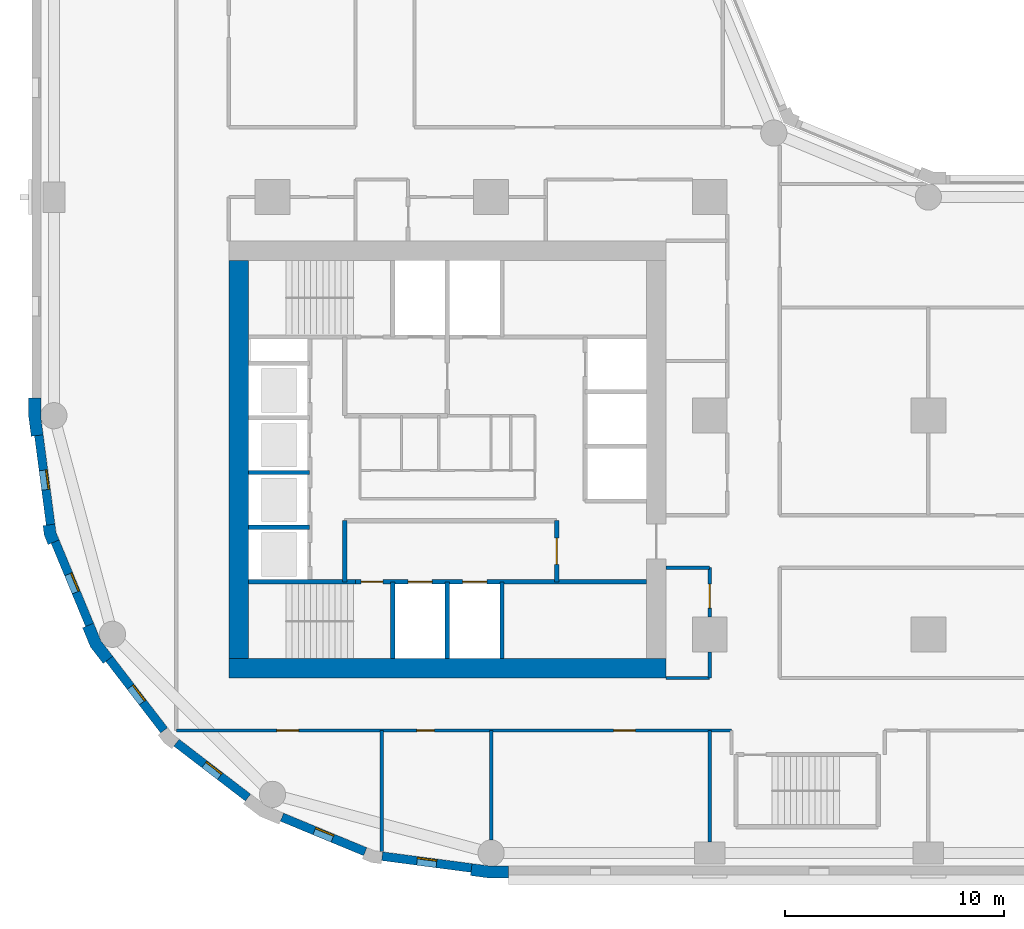
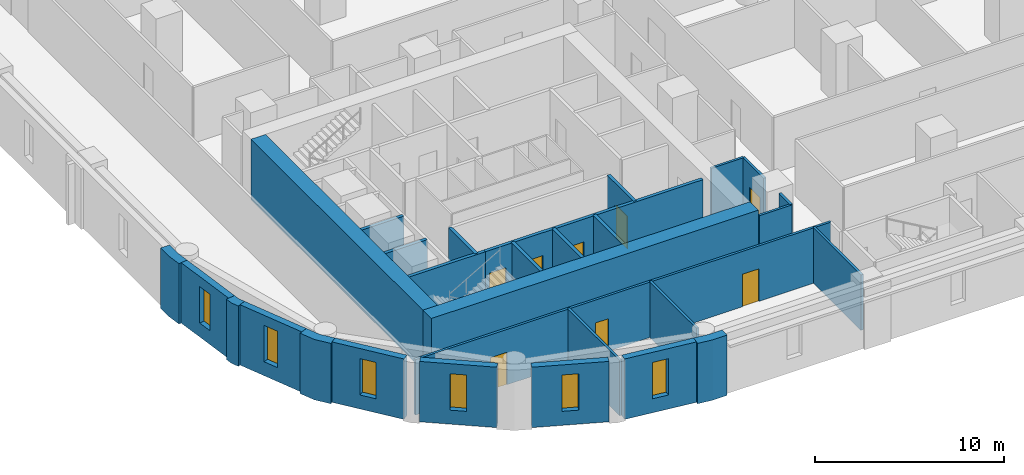
# One storey, part 2 of 11: 29 walls, 8 doors, 6 windows, 14 openings.
"""IFC4 building model written with IfcOpenShell, lengths in metres."""

from ifc_helpers import new_model, si_unit, direction, frame, frame_2d, origin, place, context, subcontext, project, spatial, polyline, rectangle, outline, extrude, material, layer, layer_set, type_object, element, fill, save


model = new_model("IFC4")

# Units and contexts
model_context = context("Model", 3, precision=1e-05, world=origin(), true_north=direction((0.0, 1.0)))
body_context = subcontext(model_context, "Body", "Model", "MODEL_VIEW")
ifc_project = project(units=[si_unit("LENGTHUNIT", "METRE"), si_unit("AREAUNIT", "SQUARE_METRE"), si_unit("VOLUMEUNIT", "CUBIC_METRE"), si_unit("PLANEANGLEUNIT", "RADIAN"), si_unit("MASSUNIT", "GRAM", prefix="KILO")], contexts=[model_context])

# Site, building, storey
site_placement = place(None, origin())
site = spatial("IfcSite", under=ifc_project, at=site_placement, CompositionType="ELEMENT")
building_placement = place(site_placement, origin())
building = spatial("IfcBuilding", under=site, at=building_placement, Name="Qaws Garden Tower", CompositionType="ELEMENT")
storey_placement = place(building_placement, frame((0.0, 0.0, 82.199951171875)))
storey = spatial("IfcBuildingStorey", under=building, at=storey_placement, Name="L20", CompositionType="ELEMENT", Elevation=82.199951171875)

# Wall, opening, window
ifc_material_1 = material(Name="Buff clay facing brick masonry", Category="masonry")
ifc_layer_1 = layer(ifc_material_1, 0.39990234375)
ifc_layer_set_1 = layer_set([ifc_layer_1], Name="Buff clay facing brick masonry")
wall_type_1 = type_object("IfcWallType", Name="Buff brick infill wall 400", PredefinedType="SOLIDWALL", material=ifc_layer_set_1)
wall_1_placement = place(storey_placement, frame((-0.688720703125, 19.102294921875, 0.0), z_axis=(0.0, 0.0, 1.0), x_axis=(0.130514280502, -0.991446429508, 0.0)))
wall_1 = element("IfcWall", 1, at=wall_1_placement, inside=storey, type_object=wall_type_1, Name="E-L20-infill-27", PredefinedType="SOLIDWALL", context=body_context, shape_type="SweptSolid", body=[
    extrude(rectangle(XDim=4.120849609375, YDim=0.39990234375, at=frame_2d((2.060546875, 0.0))), origin(), (0.0, 0.0, 1.0), 3.900146484375),
])
opening_1_placement = place(wall_1_placement, frame((1.610595703125, 0.0, 0.89990234375)))
opening_1 = element("IfcOpeningElement", 2, at=opening_1_placement, cuts=wall_1, Name="Opening W09", PredefinedType="OPENING", context=body_context, shape_type="SweptSolid", body=[
    extrude(rectangle(XDim=0.89990234375, YDim=2.35009765625, at=frame_2d((0.449951171875, 1.175048828125))), frame((0.0, 0.2099609375, 0.0), z_axis=(0.0, -1.0, 0.0), x_axis=(1.0, 0.0, 0.0)), (0.0, 0.0, 1.0), 0.419921875),
])
ifc_material_2 = material(Name="Aluminium framed window, clear glazing", Category="aluminium")
window_type = type_object("IfcWindowType", Name="Slit window 900 x 2350", PartitioningType="SINGLE_PANEL", PredefinedType="WINDOW", material=ifc_material_2)
window_1_placement = place(opening_1_placement, origin())
window_1 = element("IfcWindow", 3, at=window_1_placement, inside=storey, type_object=window_type, Name="E-L20-window-27-0", OverallHeight=2.35009765625, OverallWidth=0.89990234375, PartitioningType="SINGLE_PANEL", PredefinedType="WINDOW", context=body_context, shape_type="SweptSolid", body=[
    extrude(rectangle(XDim=0.89990234375, YDim=2.35009765625, at=frame_2d((0.449951171875, 1.175048828125))), frame((0.0, 0.159912109375, 0.0), z_axis=(0.0, -1.0, 0.0), x_axis=(1.0, 0.0, 0.0)), (0.0, 0.0, 1.0), 0.06005859375),
])
fill(opening_1, window_1)

wall_2_placement = place(storey_placement, frame((0.05712890625, 14.240234375, 0.0), z_axis=(0.0, 0.0, 1.0), x_axis=(0.382721546029, -0.923863744394, 0.0)))
wall_2 = element("IfcWall", 4, at=wall_2_placement, inside=storey, type_object=wall_type_1, Name="E-L20-infill-28", PredefinedType="SOLIDWALL", context=body_context, shape_type="SweptSolid", body=[
    extrude(rectangle(XDim=4.120849609375, YDim=0.39990234375, at=frame_2d((2.060546875, 0.0))), origin(), (0.0, 0.0, 1.0), 3.900146484375),
])
opening_2_placement = place(wall_2_placement, frame((1.610595703125, 0.0, 0.89990234375)))
opening_2 = element("IfcOpeningElement", 5, at=opening_2_placement, cuts=wall_2, Name="Opening W09", PredefinedType="OPENING", context=body_context, shape_type="SweptSolid", body=[
    extrude(rectangle(XDim=0.89990234375, YDim=2.35009765625, at=frame_2d((0.449951171875, 1.175048828125))), frame((0.0, 0.2099609375, 0.0), z_axis=(0.0, -1.0, 0.0), x_axis=(1.0, 0.0, 0.0)), (0.0, 0.0, 1.0), 0.419921875),
])
window_2_placement = place(opening_2_placement, origin())
window_2 = element("IfcWindow", 6, at=window_2_placement, inside=storey, type_object=window_type, Name="E-L20-window-28-0", OverallHeight=2.35009765625, OverallWidth=0.89990234375, PartitioningType="SINGLE_PANEL", PredefinedType="WINDOW", context=body_context, shape_type="SweptSolid", body=[
    extrude(rectangle(XDim=0.89990234375, YDim=2.35009765625, at=frame_2d((0.449951171875, 1.175048828125))), frame((0.0, 0.159912109375, 0.0), z_axis=(0.0, -1.0, 0.0), x_axis=(1.0, 0.0, 0.0)), (0.0, 0.0, 1.0), 0.06005859375),
])
fill(opening_2, window_2)

wall_3_placement = place(storey_placement, frame((2.53173828125, 8.87841796875, 0.0), z_axis=(0.0, 0.0, 1.0), x_axis=(0.608759824817, -0.793354571229, 0.0)))
wall_3 = element("IfcWall", 7, at=wall_3_placement, inside=storey, type_object=wall_type_1, Name="E-L20-infill-29", PredefinedType="SOLIDWALL", context=body_context, shape_type="SweptSolid", body=[
    extrude(rectangle(XDim=4.12109375, YDim=0.39990234375, at=frame_2d((2.060546875, 0.0))), origin(), (0.0, 0.0, 1.0), 3.900146484375),
])
opening_3_placement = place(wall_3_placement, frame((1.610595703125, 0.0, 0.89990234375)))
opening_3 = element("IfcOpeningElement", 8, at=opening_3_placement, cuts=wall_3, Name="Opening W09", PredefinedType="OPENING", context=body_context, shape_type="SweptSolid", body=[
    extrude(rectangle(XDim=0.89990234375, YDim=2.35009765625, at=frame_2d((0.449951171875, 1.175048828125))), frame((0.0, 0.2099609375, 0.0), z_axis=(0.0, -1.0, 0.0), x_axis=(1.0, 0.0, 0.0)), (0.0, 0.0, 1.0), 0.419921875),
])
window_3_placement = place(opening_3_placement, origin())
window_3 = element("IfcWindow", 9, at=window_3_placement, inside=storey, type_object=window_type, Name="E-L20-window-29-0", OverallHeight=2.35009765625, OverallWidth=0.89990234375, PartitioningType="SINGLE_PANEL", PredefinedType="WINDOW", context=body_context, shape_type="SweptSolid", body=[
    extrude(rectangle(XDim=0.89990234375, YDim=2.35009765625, at=frame_2d((0.449951171875, 1.175048828125))), frame((0.0, 0.159912109375, 0.0), z_axis=(0.0, -1.0, 0.0), x_axis=(1.0, 0.0, 0.0)), (0.0, 0.0, 1.0), 0.06005859375),
])
fill(opening_3, window_3)

wall_4_placement = place(storey_placement, frame((5.60888671875, 5.04052734375, 0.0), z_axis=(0.0, 0.0, 1.0), x_axis=(0.793354571229, -0.608759824817, 0.0)))
wall_4 = element("IfcWall", 10, at=wall_4_placement, inside=storey, type_object=wall_type_1, Name="E-L20-infill-30", PredefinedType="SOLIDWALL", context=body_context, shape_type="SweptSolid", body=[
    extrude(rectangle(XDim=4.12109375, YDim=0.39990234375, at=frame_2d((2.060546875, 0.0))), origin(), (0.0, 0.0, 1.0), 3.900146484375),
])
opening_4_placement = place(wall_4_placement, frame((1.610595703125, 0.0, 0.89990234375)))
opening_4 = element("IfcOpeningElement", 11, at=opening_4_placement, cuts=wall_4, Name="Opening W09", PredefinedType="OPENING", context=body_context, shape_type="SweptSolid", body=[
    extrude(rectangle(XDim=0.89990234375, YDim=2.35009765625, at=frame_2d((0.449951171875, 1.175048828125))), frame((0.0, 0.2099609375, 0.0), z_axis=(0.0, -1.0, 0.0), x_axis=(1.0, 0.0, 0.0)), (0.0, 0.0, 1.0), 0.419921875),
])
window_4_placement = place(opening_4_placement, origin())
window_4 = element("IfcWindow", 12, at=window_4_placement, inside=storey, type_object=window_type, Name="E-L20-window-30-0", OverallHeight=2.35009765625, OverallWidth=0.89990234375, PartitioningType="SINGLE_PANEL", PredefinedType="WINDOW", context=body_context, shape_type="SweptSolid", body=[
    extrude(rectangle(XDim=0.89990234375, YDim=2.35009765625, at=frame_2d((0.449951171875, 1.175048828125))), frame((0.0, 0.159912109375, 0.0), z_axis=(0.0, -1.0, 0.0), x_axis=(1.0, 0.0, 0.0)), (0.0, 0.0, 1.0), 0.06005859375),
])
fill(opening_4, window_4)

wall_5_placement = place(storey_placement, frame((10.43310546875, 1.63427734375, 0.0), z_axis=(0.0, 0.0, 1.0), x_axis=(0.923863744394, -0.382721546029, 0.0)))
wall_5 = element("IfcWall", 13, at=wall_5_placement, inside=storey, type_object=wall_type_1, Name="E-L20-infill-31", PredefinedType="SOLIDWALL", context=body_context, shape_type="SweptSolid", body=[
    extrude(rectangle(XDim=4.120849609375, YDim=0.39990234375, at=frame_2d((2.060546875, 0.0))), origin(), (0.0, 0.0, 1.0), 3.900146484375),
])
opening_5_placement = place(wall_5_placement, frame((1.610595703125, 0.0, 0.89990234375)))
opening_5 = element("IfcOpeningElement", 14, at=opening_5_placement, cuts=wall_5, Name="Opening W09", PredefinedType="OPENING", context=body_context, shape_type="SweptSolid", body=[
    extrude(rectangle(XDim=0.89990234375, YDim=2.35009765625, at=frame_2d((0.449951171875, 1.175048828125))), frame((0.0, 0.2099609375, 0.0), z_axis=(0.0, -1.0, 0.0), x_axis=(1.0, 0.0, 0.0)), (0.0, 0.0, 1.0), 0.419921875),
])
window_5_placement = place(opening_5_placement, origin())
window_5 = element("IfcWindow", 15, at=window_5_placement, inside=storey, type_object=window_type, Name="E-L20-window-31-0", OverallHeight=2.35009765625, OverallWidth=0.89990234375, PartitioningType="SINGLE_PANEL", PredefinedType="WINDOW", context=body_context, shape_type="SweptSolid", body=[
    extrude(rectangle(XDim=0.89990234375, YDim=2.35009765625, at=frame_2d((0.449951171875, 1.175048828125))), frame((0.0, 0.159912109375, 0.0), z_axis=(0.0, -1.0, 0.0), x_axis=(1.0, 0.0, 0.0)), (0.0, 0.0, 1.0), 0.06005859375),
])
fill(opening_5, window_5)

wall_6_placement = place(storey_placement, frame((15.0166015625, -0.15087890625, 0.0), z_axis=(0.0, 0.0, 1.0), x_axis=(0.991446429508, -0.130514280502, 0.0)))
wall_6 = element("IfcWall", 16, at=wall_6_placement, inside=storey, type_object=wall_type_1, Name="E-L20-infill-32", PredefinedType="SOLIDWALL", context=body_context, shape_type="SweptSolid", body=[
    extrude(rectangle(XDim=4.120849609375, YDim=0.39990234375, at=frame_2d((2.060546875, 0.0))), origin(), (0.0, 0.0, 1.0), 3.900146484375),
])
opening_6_placement = place(wall_6_placement, frame((1.610595703125, 0.0, 0.89990234375)))
opening_6 = element("IfcOpeningElement", 17, at=opening_6_placement, cuts=wall_6, Name="Opening W09", PredefinedType="OPENING", context=body_context, shape_type="SweptSolid", body=[
    extrude(rectangle(XDim=0.89990234375, YDim=2.35009765625, at=frame_2d((0.449951171875, 1.175048828125))), frame((0.0, 0.2099609375, 0.0), z_axis=(0.0, -1.0, 0.0), x_axis=(1.0, 0.0, 0.0)), (0.0, 0.0, 1.0), 0.419921875),
])
window_6_placement = place(opening_6_placement, origin())
window_6 = element("IfcWindow", 18, at=window_6_placement, inside=storey, type_object=window_type, Name="E-L20-window-32-0", OverallHeight=2.35009765625, OverallWidth=0.89990234375, PartitioningType="SINGLE_PANEL", PredefinedType="WINDOW", context=body_context, shape_type="SweptSolid", body=[
    extrude(rectangle(XDim=0.89990234375, YDim=2.35009765625, at=frame_2d((0.449951171875, 1.175048828125))), frame((0.0, 0.159912109375, 0.0), z_axis=(0.0, -1.0, 0.0), x_axis=(1.0, 0.0, 0.0)), (0.0, 0.0, 1.0), 0.06005859375),
])
fill(opening_6, window_6)

# Walls
ifc_material_3 = material(Name="Buff clay facing brick masonry", Category="masonry")
ifc_layer_2 = layer(ifc_material_3, 0.550048828125)
ifc_layer_set_2 = layer_set([ifc_layer_2], Name="Buff clay facing brick masonry")
wall_type_2 = type_object("IfcWallType", Name="Buff brick kink pier 550 x 600", PredefinedType="SOLIDWALL", material=ifc_layer_set_2)
placement = place(storey_placement, origin())
element("IfcWall", 19, at=placement, inside=storey, type_object=wall_type_2, Name="E-L20-pier-28", PredefinedType="SOLIDWALL", context=body_context, shape_type="SweptSolid", body=[
    extrude(outline(polyline([(-0.34912109375, 14.990478515625), (-0.497802734375, 14.970947265625), (-0.43896484375, 14.5234375), (-0.26611328125, 14.1064453125), (-0.127685546875, 14.163818359375), (0.241943359375, 14.31689453125), (0.096923828125, 14.6669921875), (0.04736328125, 15.042724609375), (-0.34912109375, 14.990478515625)])), origin(), (0.0, 0.0, 1.0), 3.900146484375),
])
ifc_material_4 = material(Name="Buff clay facing brick masonry", Category="masonry")
ifc_layer_3 = layer(ifc_material_4, 0.550048828125)
ifc_layer_set_3 = layer_set([ifc_layer_3], Name="Buff clay facing brick masonry")
wall_type_3 = type_object("IfcWallType", Name="Buff brick pier 550 x 1600", PredefinedType="SOLIDWALL", material=ifc_layer_set_3)
element("IfcWall", 20, at=placement, inside=storey, type_object=wall_type_3, Name="E-L20-pier-00", PredefinedType="SOLIDWALL", context=body_context, shape_type="SweptSolid", body=[
    extrude(outline(polyline([(19.076416015625, -0.886962890625), (19.056640625, -1.03564453125), (19.924560546875, -1.14990234375), (20.800048828125, -1.14990234375), (20.800048828125, -1.0), (20.800048828125, -0.60009765625), (19.960693359375, -0.60009765625), (19.12841796875, -0.490478515625), (19.076416015625, -0.886962890625)])), origin(), (0.0, 0.0, 1.0), 3.900146484375),
])
element("IfcWall", 21, at=placement, inside=storey, type_object=wall_type_3, Name="E-L20-pier-27", PredefinedType="SOLIDWALL", context=body_context, shape_type="SweptSolid", body=[
    extrude(outline(polyline([(-1.0, 20.800048828125), (-1.14990234375, 20.800048828125), (-1.14990234375, 19.924560546875), (-1.03564453125, 19.056640625), (-0.886962890625, 19.076416015625), (-0.490478515625, 19.12841796875), (-0.60009765625, 19.960693359375), (-0.60009765625, 20.800048828125), (-1.0, 20.800048828125)])), origin(), (0.0, 0.0, 1.0), 3.900146484375),
])
element("IfcWall", 22, at=placement, inside=storey, type_object=wall_type_3, Name="E-L20-pier-29", PredefinedType="SOLIDWALL", context=body_context, shape_type="SweptSolid", body=[
    extrude(outline(polyline([(1.449462890625, 10.3564453125), (1.310791015625, 10.299072265625), (1.675048828125, 9.419921875), (2.254150390625, 8.665283203125), (2.373046875, 8.756591796875), (2.6904296875, 9.0), (2.1552734375, 9.697509765625), (1.819091796875, 10.509521484375), (1.449462890625, 10.3564453125)])), origin(), (0.0, 0.0, 1.0), 3.900146484375),
])
ifc_material_5 = material(Name="Concrete C80", Category="concrete")
ifc_layer_4 = layer(ifc_material_5, 0.199951171875)
ifc_layer_set_4 = layer_set([ifc_layer_4], Name="Concrete C80")
wall_type_4 = type_object("IfcWallType", Name="Core shaft wall 200 C80", PredefinedType="SHEAR", material=ifc_layer_set_4)
wall_11_placement = place(storey_placement, frame((8.89990234375, 12.39990234375, 0.0), z_axis=(0.0, 0.0, 1.0), x_axis=(1.0, 0.0, 0.0)))
element("IfcWall", 23, at=wall_11_placement, inside=storey, type_object=wall_type_4, Name="Shaft wall", PredefinedType="SHEAR", context=body_context, shape_type="SweptSolid", body=[
    extrude(rectangle(XDim=4.900146484375, YDim=0.199951171875, at=frame_2d((2.4501953125, 0.0))), origin(), (0.0, 0.0, 1.0), 3.580078125),
])

# Wall, openings, doors
wall_12_placement = place(storey_placement, frame((13.800048828125, 12.39990234375, 0.0), z_axis=(0.0, 0.0, 1.0), x_axis=(1.0, 0.0, 0.0)))
wall_12 = element("IfcWall", 24, at=wall_12_placement, inside=storey, type_object=wall_type_4, Name="Shaft wall", PredefinedType="SHEAR", context=body_context, shape_type="SweptSolid", body=[
    extrude(rectangle(XDim=13.300048828125, YDim=0.199951171875, at=frame_2d((6.64990234375, 0.0))), origin(), (0.0, 0.0, 1.0), 3.580078125),
])
opening_7_placement = place(wall_12_placement, frame((2.39990234375, 0.0, 0.0)))
opening_7 = element("IfcOpeningElement", 25, at=opening_7_placement, cuts=wall_12, Name="Opening LD06", PredefinedType="OPENING", context=body_context, shape_type="SweptSolid", body=[
    extrude(rectangle(XDim=1.10009765625, YDim=2.10009765625, at=frame_2d((0.550048828125, 1.050048828125))), frame((0.0, 0.10986328125, 0.0), z_axis=(0.0, -1.0, 0.0), x_axis=(1.0, 0.0, 0.0)), (0.0, 0.0, 1.0), 0.219970703125),
])
opening_8_placement = place(wall_12_placement, frame((4.89990234375, 0.0, 0.0)))
opening_8 = element("IfcOpeningElement", 26, at=opening_8_placement, cuts=wall_12, Name="Opening LD07", PredefinedType="OPENING", context=body_context, shape_type="SweptSolid", body=[
    extrude(rectangle(XDim=1.10009765625, YDim=2.10009765625, at=frame_2d((0.550048828125, 1.050048828125))), frame((0.0, 0.10986328125, 0.0), z_axis=(0.0, -1.0, 0.0), x_axis=(1.0, 0.0, 0.0)), (0.0, 0.0, 1.0), 0.219970703125),
])
opening_9_placement = place(wall_12_placement, frame((0.25, 0.0, 0.0)))
opening_9 = element("IfcOpeningElement", 27, at=opening_9_placement, cuts=wall_12, Name="Opening SD10", PredefinedType="OPENING", context=body_context, shape_type="SweptSolid", body=[
    extrude(rectangle(XDim=1.0, YDim=2.10009765625, at=frame_2d((0.5, 1.050048828125))), frame((0.0, 0.10986328125, 0.0), z_axis=(0.0, -1.0, 0.0), x_axis=(1.0, 0.0, 0.0)), (0.0, 0.0, 1.0), 0.219970703125),
])
ifc_material_6 = material(Name="Steel S235", Category="steel")
door_type_1 = type_object("IfcDoorType", Name="Landing door 1100x2100", OperationType="DOUBLE_DOOR_SLIDING", PredefinedType="DOOR", material=ifc_material_6)
door_1_placement = place(opening_7_placement, origin())
door_1 = element("IfcDoor", 28, at=door_1_placement, inside=storey, type_object=door_type_1, Name="Lift FF1 landing door", OperationType="DOUBLE_DOOR_SLIDING", OverallHeight=2.10009765625, OverallWidth=1.10009765625, PredefinedType="DOOR", context=body_context, shape_type="SweptSolid", body=[
    extrude(rectangle(XDim=1.10009765625, YDim=2.10009765625, at=frame_2d((0.550048828125, 1.050048828125))), frame((0.0, 0.02490234375, 0.0), z_axis=(0.0, -1.0, 0.0), x_axis=(1.0, 0.0, 0.0)), (0.0, 0.0, 1.0), 0.050048828125),
])
fill(opening_7, door_1)
door_2_placement = place(opening_8_placement, origin())
door_2 = element("IfcDoor", 29, at=door_2_placement, inside=storey, type_object=door_type_1, Name="Lift FF2 landing door", OperationType="DOUBLE_DOOR_SLIDING", OverallHeight=2.10009765625, OverallWidth=1.10009765625, PredefinedType="DOOR", context=body_context, shape_type="SweptSolid", body=[
    extrude(rectangle(XDim=1.10009765625, YDim=2.10009765625, at=frame_2d((0.550048828125, 1.050048828125))), frame((0.0, 0.02490234375, 0.0), z_axis=(0.0, -1.0, 0.0), x_axis=(1.0, 0.0, 0.0)), (0.0, 0.0, 1.0), 0.050048828125),
])
fill(opening_8, door_2)
ifc_material_7 = material(Name="Steel S235", Category="steel")
door_type_2 = type_object("IfcDoorType", Name="Stair door 1000x2100", OperationType="SINGLE_SWING_RIGHT", PredefinedType="DOOR", material=ifc_material_7)
door_3_placement = place(opening_9_placement, frame((1.0, 0.0, 0.0), z_axis=(0.0, 0.0, 1.0), x_axis=(-1.0, 0.0, 0.0)))
door_3 = element("IfcDoor", 30, at=door_3_placement, inside=storey, type_object=door_type_2, Name="Stair 1 door", OperationType="SINGLE_SWING_LEFT", OverallHeight=2.10009765625, OverallWidth=1.0, PredefinedType="DOOR", context=body_context, shape_type="SweptSolid", body=[
    extrude(rectangle(XDim=1.0, YDim=2.10009765625, at=frame_2d((0.5, 1.050048828125))), frame((0.0, 0.02490234375, 0.0), z_axis=(0.0, -1.0, 0.0), x_axis=(1.0, 0.0, 0.0)), (0.0, 0.0, 1.0), 0.050048828125),
])
fill(opening_9, door_3)

# Walls
for number, where, z_axis, x_axis, name in (
    (31, (8.89990234375, 14.89990234375, 0.0), (0.0, 0.0, 1.0), (1.0, 0.0, 0.0), "Shaft wall"),
    (32, (8.89990234375, 17.39990234375, 0.0), (0.0, 0.0, 1.0), (1.0, 0.0, 0.0), "Shaft wall"),
    (33, (13.300048828125, 12.39990234375, 0.0), (0.0, 0.0, 1.0), (0.0, 1.0, 0.0), "Shaft wall"),
):
    element("IfcWall", number, at=place(storey_placement, frame(where, z_axis=z_axis, x_axis=x_axis)), inside=storey, type_object=wall_type_4, Name=name, PredefinedType="SHEAR", context=body_context, shape_type="SweptSolid", body=[
        extrude(rectangle(XDim=2.800048828125, YDim=0.199951171875, at=frame_2d((1.39990234375, 0.0))), origin(), (0.0, 0.0, 1.0), 3.580078125),
    ])
for number, where, z_axis, x_axis, name in (
    (34, (15.5, 8.89990234375, 0.0), (0.0, 0.0, 1.0), (0.0, 1.0, 0.0), "Shaft wall"),
    (35, (18.0, 8.89990234375, 0.0), (0.0, 0.0, 1.0), (0.0, 1.0, 0.0), "Shaft wall"),
    (36, (20.5, 8.89990234375, 0.0), (0.0, 0.0, 1.0), (0.0, 1.0, 0.0), "Shaft wall"),
):
    element("IfcWall", number, at=place(storey_placement, frame(where, z_axis=z_axis, x_axis=x_axis)), inside=storey, type_object=wall_type_4, Name=name, PredefinedType="SHEAR", context=body_context, shape_type="SweptSolid", body=[
        extrude(rectangle(XDim=3.5, YDim=0.199951171875, at=frame_2d((1.75, 0.0))), origin(), (0.0, 0.0, 1.0), 3.580078125),
    ])

# Wall, opening, door
wall_13_placement = place(storey_placement, frame((23.0, 12.39990234375, 0.0), z_axis=(0.0, 0.0, 1.0), x_axis=(0.0, 1.0, 0.0)))
wall_13 = element("IfcWall", 37, at=wall_13_placement, inside=storey, type_object=wall_type_4, Name="Shaft wall", PredefinedType="SHEAR", context=body_context, shape_type="SweptSolid", body=[
    extrude(rectangle(XDim=2.800048828125, YDim=0.199951171875, at=frame_2d((1.39990234375, 0.0))), origin(), (0.0, 0.0, 1.0), 3.580078125),
])
opening_10_placement = place(wall_13_placement, frame((0.800048828125, 0.0, 0.0)))
opening_10 = element("IfcOpeningElement", 38, at=opening_10_placement, cuts=wall_13, Name="Opening FD15", PredefinedType="OPENING", context=body_context, shape_type="SweptSolid", body=[
    extrude(rectangle(XDim=1.199951171875, YDim=2.10009765625, at=frame_2d((0.60009765625, 1.050048828125))), frame((0.0, 0.10986328125, 0.0), z_axis=(0.0, -1.0, 0.0), x_axis=(1.0, 0.0, 0.0)), (0.0, 0.0, 1.0), 0.219970703125),
])
ifc_material_8 = material(Name="Steel S235", Category="steel")
door_type_3 = type_object("IfcDoorType", Name="Lobby door 1200x2100", OperationType="DOUBLE_DOOR_SINGLE_SWING", PredefinedType="DOOR", material=ifc_material_8)
door_4_placement = place(opening_10_placement, origin())
door_4 = element("IfcDoor", 39, at=door_4_placement, inside=storey, type_object=door_type_3, Name="Fire-fighting lobby door", OperationType="DOUBLE_DOOR_SINGLE_SWING", OverallHeight=2.10009765625, OverallWidth=1.199951171875, PredefinedType="DOOR", context=body_context, shape_type="SweptSolid", body=[
    extrude(rectangle(XDim=1.199951171875, YDim=2.10009765625, at=frame_2d((0.60009765625, 1.050048828125))), frame((0.0, 0.02490234375, 0.0), z_axis=(0.0, -1.0, 0.0), x_axis=(1.0, 0.0, 0.0)), (0.0, 0.0, 1.0), 0.050048828125),
])
fill(opening_10, door_4)

# Walls
ifc_material_9 = material(Name="Concrete C80", Category="concrete")
ifc_layer_5 = layer(ifc_material_9, 0.89990234375)
ifc_layer_set_5 = layer_set([ifc_layer_5], Name="Concrete C80")
wall_type_5 = type_object("IfcWallType", Name="Core wall 900 C80", PredefinedType="SHEAR", material=ifc_layer_set_5)
wall_14_placement = place(storey_placement, frame((8.0, 8.449951171875, 0.0), z_axis=(0.0, 0.0, 1.0), x_axis=(1.0, 0.0, 0.0)))
element("IfcWall", 40, at=wall_14_placement, inside=storey, type_object=wall_type_5, Name="Core wall L20 south", PredefinedType="SHEAR", context=body_context, shape_type="SweptSolid", body=[
    extrude(rectangle(XDim=20.0, YDim=0.89990234375, at=frame_2d((10.0, 0.0))), origin(), (0.0, 0.0, 1.0), 3.900146484375),
])
wall_15_placement = place(storey_placement, frame((8.449951171875, 27.10009765625, 0.0), z_axis=(0.0, 0.0, 1.0), x_axis=(0.0, -1.0, 0.0)))
element("IfcWall", 41, at=wall_15_placement, inside=storey, type_object=wall_type_5, Name="Core wall L20 west", PredefinedType="SHEAR", context=body_context, shape_type="SweptSolid", body=[
    extrude(rectangle(XDim=18.2001953125, YDim=0.89990234375, at=frame_2d((9.10009765625, 0.0))), origin(), (0.0, 0.0, 1.0), 3.900146484375),
])
ifc_material_10 = material(Name="Gypsum board partition")
ifc_layer_6 = layer(ifc_material_10, 0.14990234375)
ifc_layer_set_6 = layer_set([ifc_layer_6], Name="Gypsum board partition")
wall_type_6 = type_object("IfcWallType", Name="PARTITION 150 EI 60", PredefinedType="PARTITIONING", material=ifc_layer_set_6)
wall_16_placement = place(storey_placement, frame((15.0, 0.06298828125, 0.0), z_axis=(0.0, 0.0, 1.0), x_axis=(0.0, 1.0, 0.0)))
element("IfcWall", 42, at=wall_16_placement, inside=storey, type_object=wall_type_6, Name="O-L20-wall-007", PredefinedType="PARTITIONING", context=body_context, shape_type="SweptSolid", body=[
    extrude(rectangle(XDim=5.537109375, YDim=0.14990234375, at=frame_2d((2.7685546875, 0.0))), origin(), (0.0, 0.0, 1.0), 3.580078125),
])
wall_17_placement = place(storey_placement, frame((20.0, 0.60009765625, 0.0), z_axis=(0.0, 0.0, 1.0), x_axis=(0.0, 1.0, 0.0)))
element("IfcWall", 43, at=wall_17_placement, inside=storey, type_object=wall_type_6, Name="O-L20-wall-011", PredefinedType="PARTITIONING", context=body_context, shape_type="SweptSolid", body=[
    extrude(rectangle(XDim=5.0, YDim=0.14990234375, at=frame_2d((2.5, 0.0))), origin(), (0.0, 0.0, 1.0), 3.580078125),
])
wall_18_placement = place(storey_placement, frame((30.0, 0.5, 0.0), z_axis=(0.0, 0.0, 1.0), x_axis=(0.0, 1.0, 0.0)))
element("IfcWall", 44, at=wall_18_placement, inside=storey, type_object=wall_type_6, Name="O-L20-wall-014", PredefinedType="PARTITIONING", context=body_context, shape_type="SweptSolid", body=[
    extrude(rectangle(XDim=5.10009765625, YDim=0.14990234375, at=frame_2d((2.550048828125, 0.0))), origin(), (0.0, 0.0, 1.0), 3.580078125),
])
wall_19_placement = place(storey_placement, frame((30.0, 8.0, 0.0), z_axis=(0.0, 0.0, 1.0), x_axis=(0.0, 1.0, 0.0)))
element("IfcWall", 45, at=wall_19_placement, inside=storey, type_object=wall_type_6, Name="O-L20-wall-015", PredefinedType="PARTITIONING", context=body_context, shape_type="SweptSolid", body=[
    extrude(rectangle(XDim=1.199951171875, YDim=0.14990234375, at=frame_2d((0.60009765625, 0.0))), origin(), (0.0, 0.0, 1.0), 3.580078125),
])

# Wall, opening, door
wall_20_placement = place(storey_placement, frame((30.0, 10.800048828125, 0.0), z_axis=(0.0, 0.0, 1.0), x_axis=(0.0, 1.0, 0.0)))
wall_20 = element("IfcWall", 46, at=wall_20_placement, inside=storey, type_object=wall_type_6, Name="O-L20-wall-016", PredefinedType="PARTITIONING", context=body_context, shape_type="SweptSolid", body=[
    extrude(rectangle(XDim=2.25, YDim=0.14990234375, at=frame_2d((1.125, 0.0))), origin(), (0.0, 0.0, 1.0), 3.580078125),
])
opening_11_placement = place(wall_20_placement, frame((0.39990234375, 0.0, 0.0)))
opening_11 = element("IfcOpeningElement", 47, at=opening_11_placement, cuts=wall_20, Name="Opening A706", PredefinedType="OPENING", context=body_context, shape_type="SweptSolid", body=[
    extrude(rectangle(XDim=1.10009765625, YDim=2.10009765625, at=frame_2d((0.550048828125, 1.050048828125))), frame((0.0, 0.0849609375, 0.0), z_axis=(0.0, -1.0, 0.0), x_axis=(1.0, 0.0, 0.0)), (0.0, 0.0, 1.0), 0.169921875),
])
ifc_material_11 = material(Name="Timber door leaf", Category="wood")
door_type_4 = type_object("IfcDoorType", Name="SERVICE ROOM DOOR 1100 X 2100", OperationType="SINGLE_SWING_LEFT", PredefinedType="DOOR", material=ifc_material_11)
door_5_placement = place(opening_11_placement, origin())
door_5 = element("IfcDoor", 48, at=door_5_placement, inside=storey, type_object=door_type_4, Name="O-L20-door-006", OperationType="SINGLE_SWING_LEFT", OverallHeight=2.10009765625, OverallWidth=1.10009765625, PredefinedType="DOOR", context=body_context, shape_type="SweptSolid", body=[
    extrude(rectangle(XDim=1.10009765625, YDim=2.10009765625, at=frame_2d((0.550048828125, 1.050048828125))), frame((0.0, 0.02490234375, 0.0), z_axis=(0.0, -1.0, 0.0), x_axis=(1.0, 0.0, 0.0)), (0.0, 0.0, 1.0), 0.050048828125),
])
fill(opening_11, door_5)

# Wall, openings, doors
wall_21_placement = place(storey_placement, frame((5.60009765625, 5.60009765625, 0.0), z_axis=(0.0, 0.0, 1.0), x_axis=(1.0, 0.0, 0.0)))
wall_21 = element("IfcWall", 49, at=wall_21_placement, inside=storey, type_object=wall_type_6, Name="O-L20-wall-033", PredefinedType="PARTITIONING", context=body_context, shape_type="SweptSolid", body=[
    extrude(rectangle(XDim=25.39990234375, YDim=0.14990234375, at=frame_2d((12.699951171875, 0.0))), origin(), (0.0, 0.0, 1.0), 3.580078125),
])
opening_12_placement = place(wall_21_placement, frame((4.60009765625, 0.0, 0.0)))
opening_12 = element("IfcOpeningElement", 50, at=opening_12_placement, cuts=wall_21, Name="Opening A702", PredefinedType="OPENING", context=body_context, shape_type="SweptSolid", body=[
    extrude(rectangle(XDim=1.0, YDim=2.10009765625, at=frame_2d((0.5, 1.050048828125))), frame((0.0, 0.0849609375, 0.0), z_axis=(0.0, -1.0, 0.0), x_axis=(1.0, 0.0, 0.0)), (0.0, 0.0, 1.0), 0.169921875),
])
opening_13_placement = place(wall_21_placement, frame((11.0, 0.0, 0.0)))
opening_13 = element("IfcOpeningElement", 51, at=opening_13_placement, cuts=wall_21, Name="Opening A713", PredefinedType="OPENING", context=body_context, shape_type="SweptSolid", body=[
    extrude(rectangle(XDim=0.800048828125, YDim=2.10009765625, at=frame_2d((0.39990234375, 1.050048828125))), frame((0.0, 0.0849609375, 0.0), z_axis=(0.0, -1.0, 0.0), x_axis=(1.0, 0.0, 0.0)), (0.0, 0.0, 1.0), 0.169921875),
])
opening_14_placement = place(wall_21_placement, frame((20.0, 0.0, 0.0)))
opening_14 = element("IfcOpeningElement", 52, at=opening_14_placement, cuts=wall_21, Name="Opening A719", PredefinedType="OPENING", context=body_context, shape_type="SweptSolid", body=[
    extrude(rectangle(XDim=1.0, YDim=2.10009765625, at=frame_2d((0.5, 1.050048828125))), frame((0.0, 0.0849609375, 0.0), z_axis=(0.0, -1.0, 0.0), x_axis=(1.0, 0.0, 0.0)), (0.0, 0.0, 1.0), 0.169921875),
])
ifc_material_12 = material(Name="Timber door leaf", Category="wood")
door_type_5 = type_object("IfcDoorType", Name="STORE DOOR 800 X 2100", OperationType="SINGLE_SWING_LEFT", PredefinedType="DOOR", material=ifc_material_12)
door_6_placement = place(opening_13_placement, frame((0.800048828125, 0.0, 0.0), z_axis=(0.0, 0.0, 1.0), x_axis=(-1.0, 0.0, 0.0)))
door_6 = element("IfcDoor", 53, at=door_6_placement, inside=storey, type_object=door_type_5, Name="O-L20-door-013", OperationType="SINGLE_SWING_LEFT", OverallHeight=2.10009765625, OverallWidth=0.800048828125, PredefinedType="DOOR", context=body_context, shape_type="SweptSolid", body=[
    extrude(rectangle(XDim=0.800048828125, YDim=2.10009765625, at=frame_2d((0.39990234375, 1.050048828125))), frame((0.0, 0.02490234375, 0.0), z_axis=(0.0, -1.0, 0.0), x_axis=(1.0, 0.0, 0.0)), (0.0, 0.0, 1.0), 0.050048828125),
])
fill(opening_13, door_6)
ifc_material_13 = material(Name="Timber door leaf", Category="wood")
door_type_6 = type_object("IfcDoorType", Name="TENANCY ENTRANCE DOOR 1000 X 2100", OperationType="SINGLE_SWING_LEFT", PredefinedType="DOOR", material=ifc_material_13)
door_7_placement = place(opening_12_placement, frame((1.0, 0.0, 0.0), z_axis=(0.0, 0.0, 1.0), x_axis=(-1.0, 0.0, 0.0)))
door_7 = element("IfcDoor", 54, at=door_7_placement, inside=storey, type_object=door_type_6, Name="O-L20-door-002", OperationType="SINGLE_SWING_LEFT", OverallHeight=2.10009765625, OverallWidth=1.0, PredefinedType="DOOR", context=body_context, shape_type="SweptSolid", body=[
    extrude(rectangle(XDim=1.0, YDim=2.10009765625, at=frame_2d((0.5, 1.050048828125))), frame((0.0, 0.02490234375, 0.0), z_axis=(0.0, -1.0, 0.0), x_axis=(1.0, 0.0, 0.0)), (0.0, 0.0, 1.0), 0.050048828125),
])
fill(opening_12, door_7)
door_8_placement = place(opening_14_placement, frame((1.0, 0.0, 0.0), z_axis=(0.0, 0.0, 1.0), x_axis=(-1.0, 0.0, 0.0)))
door_8 = element("IfcDoor", 55, at=door_8_placement, inside=storey, type_object=door_type_6, Name="O-L20-door-019", OperationType="SINGLE_SWING_LEFT", OverallHeight=2.10009765625, OverallWidth=1.0, PredefinedType="DOOR", context=body_context, shape_type="SweptSolid", body=[
    extrude(rectangle(XDim=1.0, YDim=2.10009765625, at=frame_2d((0.5, 1.050048828125))), frame((0.0, 0.02490234375, 0.0), z_axis=(0.0, -1.0, 0.0), x_axis=(1.0, 0.0, 0.0)), (0.0, 0.0, 1.0), 0.050048828125),
])
fill(opening_14, door_8)

# Walls
for number, where, z_axis, x_axis, name in (
    (56, (28.0, 8.0, 0.0), (0.0, 0.0, 1.0), (1.0, 0.0, 0.0), "O-L20-wall-035"),
    (57, (28.0, 13.050048828125, 0.0), (0.0, 0.0, 1.0), (1.0, 0.0, 0.0), "O-L20-wall-037"),
):
    element("IfcWall", number, at=place(storey_placement, frame(where, z_axis=z_axis, x_axis=x_axis)), inside=storey, type_object=wall_type_6, Name=name, PredefinedType="PARTITIONING", context=body_context, shape_type="SweptSolid", body=[
        extrude(rectangle(XDim=2.0, YDim=0.14990234375, at=frame_2d((1.0, 0.0))), origin(), (0.0, 0.0, 1.0), 3.580078125),
    ])

save(model, "model.ifc")
